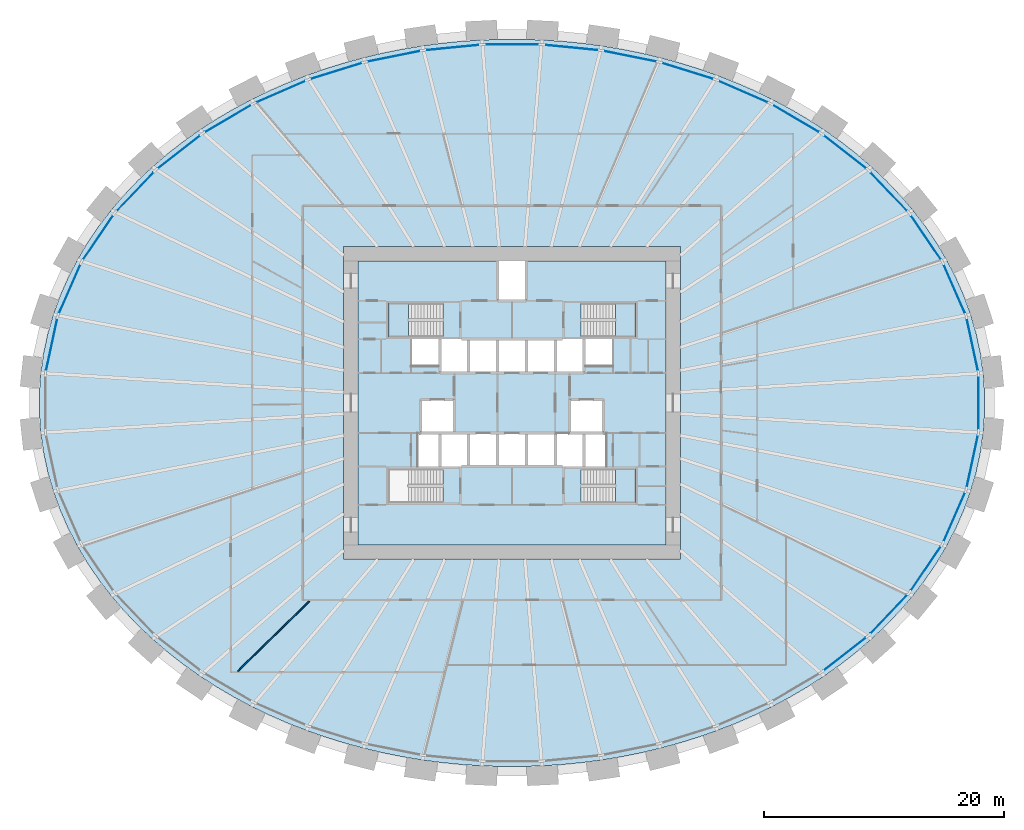
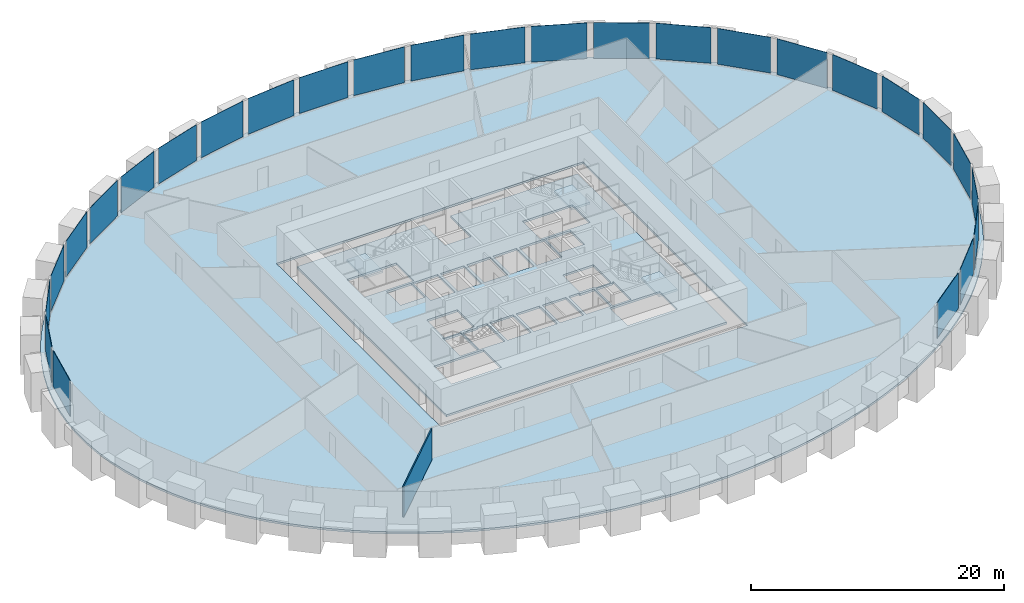
# One storey, part 5 of 11: 27 plates, 5 slabs, 1 wall, 4 elements without a shape of their own.
"""IFC4 building model written with IfcOpenShell, lengths in metres."""

from ifc_helpers import new_model, si_unit, direction, frame, frame_2d, origin, origin_2d, place, context, subcontext, project, spatial, polyline, rectangle, outline, extrude, source, transform, mapped, material, layer, layer_set, type_object, element, aggregate, save


model = new_model("IFC4")

# Units and contexts
model_context = context("Model", 3, precision=1e-05, world=origin(), true_north=direction((0.0, 1.0)))
body_context = subcontext(model_context, "Body", "Model", "MODEL_VIEW")
ifc_project = project(units=[si_unit("LENGTHUNIT", "METRE"), si_unit("AREAUNIT", "SQUARE_METRE"), si_unit("VOLUMEUNIT", "CUBIC_METRE"), si_unit("PLANEANGLEUNIT", "RADIAN"), si_unit("MASSUNIT", "GRAM", prefix="KILO")], contexts=[model_context])

# Site, building, storey
site_placement = place(None, origin())
site = spatial("IfcSite", under=ifc_project, at=site_placement, CompositionType="ELEMENT")
building_placement = place(site_placement, origin())
building = spatial("IfcBuilding", under=site, at=building_placement, Name="Embergate Tower", CompositionType="ELEMENT")
storey_placement = place(building_placement, frame((0.0, 0.0, 49.699951171875)))
storey = spatial("IfcBuildingStorey", under=building, at=storey_placement, Name="L08", CompositionType="ELEMENT", Elevation=49.699951171875)

# Slab
ifc_material_1 = material(Name="Concrete C40", Category="concrete")
ifc_layer_1 = layer(ifc_material_1, 0.199951171875)
ifc_layer_set_1 = layer_set([ifc_layer_1], Name="Concrete C40")
slab_type_1 = type_object("IfcSlabType", Name="Composite floor slab C40 200", PredefinedType="FLOOR", material=ifc_layer_set_1)
shared_shape_1 = source(origin(), body_context, "Body", "SweptSolid", [
    extrude(outline(polyline([(0.0, 0.0), (1.6640625, 0.0), (3.325927734375, 0.053955078125), (4.989013671875, 0.162109375), (6.64501953125, 0.324951171875), (8.2900390625, 0.5419921875), (9.93798828125, 0.81494140625), (11.569091796875, 1.14208984375), (13.179931640625, 1.52294921875), (14.794921875, 1.964111328125), (16.383056640625, 2.4580078125), (17.942138671875, 3.006103515625), (19.5029296875, 3.619140625), (21.027099609375, 4.2861328125), (22.510986328125, 5.00390625), (23.994140625, 5.794921875), (25.427978515625, 6.637939453125), (26.81005859375, 7.531005859375), (28.18310546875, 8.505126953125), (29.494140625, 9.529052734375), (30.739990234375, 10.59912109375), (31.964111328125, 11.757080078125), (33.111083984375, 12.9609375), (34.179931640625, 14.2060546875), (35.2060546875, 15.5419921875), (36.14111328125, 16.9169921875), (36.98291015625, 18.326904296875), (37.754150390625, 19.820068359375), (38.422119140625, 21.342041015625), (38.984130859375, 22.89013671875), (39.447998046875, 24.4970703125), (39.797119140625, 26.1220703125), (40.031982421875, 27.759033203125), (40.150146484375, 29.41796875), (40.150146484375, 31.080078125), (40.031982421875, 32.739013671875), (39.797119140625, 34.3759765625), (39.447998046875, 36.0009765625), (38.984130859375, 37.60791015625), (38.422119140625, 39.156005859375), (37.754150390625, 40.677978515625), (36.98291015625, 42.171142578125), (36.14111328125, 43.5810546875), (35.2060546875, 44.9560546875), (34.179931640625, 46.2919921875), (33.111083984375, 47.537109375), (31.964111328125, 48.740966796875), (30.739990234375, 49.89892578125), (29.494140625, 50.968994140625), (28.18310546875, 51.992919921875), (26.81005859375, 52.967041015625), (25.427978515625, 53.860107421875), (23.994140625, 54.703125), (22.510986328125, 55.494140625), (21.027099609375, 56.2119140625), (19.5029296875, 56.87890625), (17.942138671875, 57.491943359375), (16.383056640625, 58.0400390625), (14.794921875, 58.533935546875), (13.179931640625, 58.97509765625), (11.569091796875, 59.35595703125), (9.93798828125, 59.68310546875), (8.2900390625, 59.9560546875), (6.64501953125, 60.173095703125), (4.989013671875, 60.3359375), (3.325927734375, 60.444091796875), (1.6640625, 60.498046875), (0.0, 60.498046875), (-1.661865234375, 60.444091796875), (-3.324951171875, 60.3359375), (-4.98095703125, 60.173095703125), (-6.6259765625, 59.9560546875), (-8.27392578125, 59.68310546875), (-9.905029296875, 59.35595703125), (-11.515869140625, 58.97509765625), (-13.130859375, 58.533935546875), (-14.718994140625, 58.0400390625), (-16.278076171875, 57.491943359375), (-17.8388671875, 56.87890625), (-19.363037109375, 56.2119140625), (-20.846923828125, 55.494140625), (-22.330078125, 54.703125), (-23.763916015625, 53.860107421875), (-25.14599609375, 52.967041015625), (-26.51904296875, 51.992919921875), (-27.830078125, 50.968994140625), (-29.075927734375, 49.89892578125), (-30.300048828125, 48.740966796875), (-31.447021484375, 47.537109375), (-32.515869140625, 46.2919921875), (-33.5419921875, 44.9560546875), (-34.47705078125, 43.5810546875), (-35.31884765625, 42.171142578125), (-36.090087890625, 40.677978515625), (-36.758056640625, 39.156005859375), (-37.320068359375, 37.60791015625), (-37.783935546875, 36.0009765625), (-38.133056640625, 34.3759765625), (-38.367919921875, 32.739013671875), (-38.486083984375, 31.080078125), (-38.486083984375, 29.41796875), (-38.367919921875, 27.759033203125), (-38.133056640625, 26.1220703125), (-37.783935546875, 24.4970703125), (-37.320068359375, 22.89013671875), (-36.758056640625, 21.342041015625), (-36.090087890625, 19.820068359375), (-35.31884765625, 18.326904296875), (-34.47705078125, 16.9169921875), (-33.5419921875, 15.5419921875), (-32.515869140625, 14.2060546875), (-31.447021484375, 12.9609375), (-30.300048828125, 11.757080078125), (-29.075927734375, 10.59912109375), (-27.830078125, 9.529052734375), (-26.51904296875, 8.505126953125), (-25.14599609375, 7.531005859375), (-23.763916015625, 6.637939453125), (-22.330078125, 5.794921875), (-20.846923828125, 5.00390625), (-19.363037109375, 4.2861328125), (-17.8388671875, 3.619140625), (-16.278076171875, 3.006103515625), (-14.718994140625, 2.4580078125), (-13.130859375, 1.964111328125), (-11.515869140625, 1.52294921875), (-9.905029296875, 1.14208984375), (-8.27392578125, 0.81494140625), (-6.6259765625, 0.5419921875), (-4.98095703125, 0.324951171875), (-3.324951171875, 0.162109375), (-1.661865234375, 0.053955078125), (0.0, 0.0)]), holes=[polyline([(-13.16796875, 17.2490234375), (-13.16796875, 43.2490234375), (14.83203125, 43.2490234375), (14.83203125, 17.2490234375), (-13.16796875, 17.2490234375)])]), origin(), (0.0, 0.0, 1.0), 0.199951171875),
])
slab_1_placement = place(storey_placement, frame((-0.83203125, -30.2490234375, -0.199951171875)))
element("IfcSlab", 1, at=slab_1_placement, inside=storey, type_object=slab_type_1, Name="SLB-L08-00", PredefinedType="FLOOR", context=body_context, shape_type="MappedRepresentation", body=[
    mapped(shared_shape_1, transform((0.0, 0.0, 0.0))),
])

# Curtain wall, plates
ifc_material_2 = material(Name="Aluminium and glass", Category="aluminium")
curtain_wall_type = type_object("IfcCurtainWallType", Name="Recessed office glazing", PredefinedType="NOTDEFINED", material=ifc_material_2)
curtain_wall_placement = place(storey_placement, origin())
curtain_wall = element("IfcCurtainWall", 2, at=curtain_wall_placement, inside=storey, type_object=curtain_wall_type, Name="Recessed office glazing ring", ObjectType="RECESSED OFFICE GLAZING", PredefinedType="USERDEFINED")
ifc_material_3 = material(Name="Triple glazing, low-emissivity coating", Category="glass")
ifc_layer_2 = layer(ifc_material_3, 0.035888671875)
ifc_layer_set_2 = layer_set([ifc_layer_2], Name="Triple glazing, low-emissivity coating")
plate_type = type_object("IfcPlateType", Name="Office glazing unit", PredefinedType="CURTAIN_PANEL", material=ifc_layer_set_2)
shared_shape_2 = source(origin(), body_context, "Body", "SweptSolid", [
    extrude(rectangle(XDim=4.379638671875, YDim=0.035888671875, at=origin_2d()), origin(), (0.0, 0.0, 1.0), 3.449951171875),
])
plate_1_placement = place(storey_placement, frame((38.29638671875, 4.843505859375, 0.14990234375), z_axis=(0.0, 0.0, 1.0), x_axis=(-0.210398391177, 0.97761573074, 0.0)))
plate_1 = element("IfcPlate", 3, at=plate_1_placement, type_object=plate_type, Name="CW panel 1.1", PredefinedType="CURTAIN_PANEL", context=body_context, shape_type="MappedRepresentation", body=[
    mapped(shared_shape_2, transform((0.0, 0.0, 0.0))),
])
plate_2_placement = place(storey_placement, frame((-38.29638671875, 4.843505859375, 0.14990234375), z_axis=(0.0, 0.0, 1.0), x_axis=(-0.210398391177, -0.97761573074, 0.0)))
plate_2 = element("IfcPlate", 4, at=plate_2_placement, type_object=plate_type, Name="CW panel 21.1", PredefinedType="CURTAIN_PANEL", context=body_context, shape_type="MappedRepresentation", body=[
    mapped(shared_shape_2, transform((0.0, 0.0, 0.0))),
])
plate_3_placement = place(storey_placement, frame((38.29638671875, -4.843505859375, 0.14990234375), z_axis=(0.0, 0.0, 1.0), x_axis=(0.210398391177, 0.97761573074, 0.0)))
plate_3 = element("IfcPlate", 5, at=plate_3_placement, type_object=plate_type, Name="CW panel 43.1", PredefinedType="CURTAIN_PANEL", context=body_context, shape_type="MappedRepresentation", body=[
    mapped(shared_shape_2, transform((0.0, 0.0, 0.0))),
])
shared_shape_3 = source(origin(), body_context, "Body", "SweptSolid", [
    extrude(rectangle(XDim=4.38671875, YDim=0.035888671875, at=origin_2d()), origin(), (0.0, 0.0, 1.0), 3.449951171875),
])
plate_4_placement = place(storey_placement, frame((36.79541015625, 9.4853515625, 0.14990234375), z_axis=(0.0, 0.0, 1.0), x_axis=(-0.401652101157, 0.91579232888, 0.0)))
plate_4 = element("IfcPlate", 6, at=plate_4_placement, type_object=plate_type, Name="CW panel 2.1", PredefinedType="CURTAIN_PANEL", context=body_context, shape_type="MappedRepresentation", body=[
    mapped(shared_shape_3, transform((0.0, 0.0, 0.0))),
])
plate_5_placement = place(storey_placement, frame((-36.79541015625, 9.4853515625, 0.14990234375), z_axis=(0.0, 0.0, 1.0), x_axis=(-0.401652101157, -0.91579232888, 0.0)))
plate_5 = element("IfcPlate", 7, at=plate_5_placement, type_object=plate_type, Name="CW panel 20.1", PredefinedType="CURTAIN_PANEL", context=body_context, shape_type="MappedRepresentation", body=[
    mapped(shared_shape_3, transform((0.0, 0.0, 0.0))),
])
plate_6_placement = place(storey_placement, frame((36.79541015625, -9.4853515625, 0.14990234375), z_axis=(0.0, 0.0, 1.0), x_axis=(0.401652101157, 0.91579232888, 0.0)))
plate_6 = element("IfcPlate", 8, at=plate_6_placement, type_object=plate_type, Name="CW panel 42.1", PredefinedType="CURTAIN_PANEL", context=body_context, shape_type="MappedRepresentation", body=[
    mapped(shared_shape_3, transform((0.0, 0.0, 0.0))),
])
shared_shape_4 = source(origin(), body_context, "Body", "SweptSolid", [
    extrude(rectangle(XDim=4.3955078125, YDim=0.035888671875, at=origin_2d()), origin(), (0.0, 0.0, 1.0), 3.449951171875),
])
plate_7_placement = place(storey_placement, frame((34.427978515625, 13.764404296875, 0.14990234375), z_axis=(0.0, 0.0, 1.0), x_axis=(-0.562341741915, 0.826904931234, 0.0)))
plate_7 = element("IfcPlate", 9, at=plate_7_placement, type_object=plate_type, Name="CW panel 3.1", PredefinedType="CURTAIN_PANEL", context=body_context, shape_type="MappedRepresentation", body=[
    mapped(shared_shape_4, transform((0.0, 0.0, 0.0))),
])
plate_8_placement = place(storey_placement, frame((-34.427978515625, 13.764404296875, 0.14990234375), z_axis=(0.0, 0.0, 1.0), x_axis=(-0.562341741915, -0.826904931234, 0.0)))
plate_8 = element("IfcPlate", 10, at=plate_8_placement, type_object=plate_type, Name="CW panel 19.1", PredefinedType="CURTAIN_PANEL", context=body_context, shape_type="MappedRepresentation", body=[
    mapped(shared_shape_4, transform((0.0, 0.0, 0.0))),
])
plate_9_placement = place(storey_placement, frame((34.427978515625, -13.764404296875, 0.14990234375), z_axis=(0.0, 0.0, 1.0), x_axis=(0.562341741915, 0.826904931234, 0.0)))
plate_9 = element("IfcPlate", 11, at=plate_9_placement, type_object=plate_type, Name="CW panel 41.1", PredefinedType="CURTAIN_PANEL", context=body_context, shape_type="MappedRepresentation", body=[
    mapped(shared_shape_4, transform((0.0, 0.0, 0.0))),
])
shared_shape_5 = source(origin(), body_context, "Body", "SweptSolid", [
    extrude(rectangle(XDim=4.404296875, YDim=0.035888671875, at=origin_2d()), origin(), (0.0, 0.0, 1.0), 3.449951171875),
])
plate_10_placement = place(storey_placement, frame((31.3466796875, 17.57861328125, 0.14990234375), z_axis=(0.0, 0.0, 1.0), x_axis=(-0.690135047526, 0.723680603703, 0.0)))
plate_10 = element("IfcPlate", 12, at=plate_10_placement, type_object=plate_type, Name="CW panel 4.1", PredefinedType="CURTAIN_PANEL", context=body_context, shape_type="MappedRepresentation", body=[
    mapped(shared_shape_5, transform((0.0, 0.0, 0.0))),
])
plate_11_placement = place(storey_placement, frame((-31.3466796875, 17.57861328125, 0.14990234375), z_axis=(0.0, 0.0, 1.0), x_axis=(-0.690135047526, -0.723680603703, 0.0)))
plate_11 = element("IfcPlate", 13, at=plate_11_placement, type_object=plate_type, Name="CW panel 18.1", PredefinedType="CURTAIN_PANEL", context=body_context, shape_type="MappedRepresentation", body=[
    mapped(shared_shape_5, transform((0.0, 0.0, 0.0))),
])
plate_12_placement = place(storey_placement, frame((31.3466796875, -17.57861328125, 0.14990234375), z_axis=(0.0, 0.0, 1.0), x_axis=(0.690135047526, 0.723680603703, 0.0)))
plate_12 = element("IfcPlate", 14, at=plate_12_placement, type_object=plate_type, Name="CW panel 40.1", PredefinedType="CURTAIN_PANEL", context=body_context, shape_type="MappedRepresentation", body=[
    mapped(shared_shape_5, transform((0.0, 0.0, 0.0))),
])
shared_shape_6 = source(origin(), body_context, "Body", "SweptSolid", [
    extrude(rectangle(XDim=4.411865234375, YDim=0.035888671875, at=origin_2d()), origin(), (0.0, 0.0, 1.0), 3.449951171875),
])
plate_13_placement = place(storey_placement, frame((27.703369140625, 20.877685546875, 0.14990234375), z_axis=(0.0, 0.0, 1.0), x_axis=(-0.788320119254, 0.615265300158, 0.0)))
plate_13 = element("IfcPlate", 15, at=plate_13_placement, type_object=plate_type, Name="CW panel 5.1", PredefinedType="CURTAIN_PANEL", context=body_context, shape_type="MappedRepresentation", body=[
    mapped(shared_shape_6, transform((0.0, 0.0, 0.0))),
])
plate_14_placement = place(storey_placement, frame((-27.703369140625, 20.877685546875, 0.14990234375), z_axis=(0.0, 0.0, 1.0), x_axis=(-0.788320119254, -0.615265300158, 0.0)))
plate_14 = element("IfcPlate", 16, at=plate_14_placement, type_object=plate_type, Name="CW panel 17.1", PredefinedType="CURTAIN_PANEL", context=body_context, shape_type="MappedRepresentation", body=[
    mapped(shared_shape_6, transform((0.0, 0.0, 0.0))),
])
plate_15_placement = place(storey_placement, frame((27.703369140625, -20.877685546875, 0.14990234375), z_axis=(0.0, 0.0, 1.0), x_axis=(0.788320119254, 0.615265300158, 0.0)))
plate_15 = element("IfcPlate", 17, at=plate_15_placement, type_object=plate_type, Name="CW panel 39.1", PredefinedType="CURTAIN_PANEL", context=body_context, shape_type="MappedRepresentation", body=[
    mapped(shared_shape_6, transform((0.0, 0.0, 0.0))),
])
shared_shape_7 = source(origin(), body_context, "Body", "SweptSolid", [
    extrude(rectangle(XDim=4.41796875, YDim=0.035888671875, at=origin_2d()), origin(), (0.0, 0.0, 1.0), 3.449951171875),
])
plate_16_placement = place(storey_placement, frame((23.631103515625, 23.646240234375, 0.14990234375), z_axis=(0.0, 0.0, 1.0), x_axis=(-0.862053167811, 0.50681785275, 0.0)))
plate_16 = element("IfcPlate", 18, at=plate_16_placement, type_object=plate_type, Name="CW panel 6.1", PredefinedType="CURTAIN_PANEL", context=body_context, shape_type="MappedRepresentation", body=[
    mapped(shared_shape_7, transform((0.0, 0.0, 0.0))),
])
plate_17_placement = place(storey_placement, frame((-23.631103515625, 23.646240234375, 0.14990234375), z_axis=(0.0, 0.0, 1.0), x_axis=(-0.862053167811, -0.50681785275, 0.0)))
plate_17 = element("IfcPlate", 19, at=plate_17_placement, type_object=plate_type, Name="CW panel 16.1", PredefinedType="CURTAIN_PANEL", context=body_context, shape_type="MappedRepresentation", body=[
    mapped(shared_shape_7, transform((0.0, 0.0, 0.0))),
])
shared_shape_8 = source(origin(), body_context, "Body", "SweptSolid", [
    extrude(rectangle(XDim=4.422607421875, YDim=0.035888671875, at=origin_2d()), origin(), (0.0, 0.0, 1.0), 3.449951171875),
])
plate_18_placement = place(storey_placement, frame((19.23828125, 25.8876953125, 0.14990234375), z_axis=(0.0, 0.0, 1.0), x_axis=(-0.916236211741, 0.400638495772, 0.0)))
plate_18 = element("IfcPlate", 20, at=plate_18_placement, type_object=plate_type, Name="CW panel 7.1", PredefinedType="CURTAIN_PANEL", context=body_context, shape_type="MappedRepresentation", body=[
    mapped(shared_shape_8, transform((0.0, 0.0, 0.0))),
])
plate_19_placement = place(storey_placement, frame((-19.23828125, 25.8876953125, 0.14990234375), z_axis=(0.0, 0.0, 1.0), x_axis=(-0.916236211741, -0.400638495772, 0.0)))
plate_19 = element("IfcPlate", 21, at=plate_19_placement, type_object=plate_type, Name="CW panel 15.1", PredefinedType="CURTAIN_PANEL", context=body_context, shape_type="MappedRepresentation", body=[
    mapped(shared_shape_8, transform((0.0, 0.0, 0.0))),
])
shared_shape_9 = source(origin(), body_context, "Body", "SweptSolid", [
    extrude(rectangle(XDim=4.42578125, YDim=0.035888671875, at=origin_2d()), origin(), (0.0, 0.0, 1.0), 3.449951171875),
])
plate_20_placement = place(storey_placement, frame((14.613037109375, 27.613037109375, 0.14990234375), z_axis=(0.0, 0.0, 1.0), x_axis=(-0.954772217174, 0.297338213676, 0.0)))
plate_20 = element("IfcPlate", 22, at=plate_20_placement, type_object=plate_type, Name="CW panel 8.1", PredefinedType="CURTAIN_PANEL", context=body_context, shape_type="MappedRepresentation", body=[
    mapped(shared_shape_9, transform((0.0, 0.0, 0.0))),
])
plate_21_placement = place(storey_placement, frame((-14.613037109375, 27.613037109375, 0.14990234375), z_axis=(0.0, 0.0, 1.0), x_axis=(-0.954772217174, -0.297338213676, 0.0)))
plate_21 = element("IfcPlate", 23, at=plate_21_placement, type_object=plate_type, Name="CW panel 14.1", PredefinedType="CURTAIN_PANEL", context=body_context, shape_type="MappedRepresentation", body=[
    mapped(shared_shape_9, transform((0.0, 0.0, 0.0))),
])
shared_shape_10 = source(origin(), body_context, "Body", "SweptSolid", [
    extrude(rectangle(XDim=4.427978515625, YDim=0.035888671875, at=origin_2d()), origin(), (0.0, 0.0, 1.0), 3.449951171875),
])
plate_22_placement = place(storey_placement, frame((9.826171875, 28.8349609375, 0.14990234375), z_axis=(0.0, 0.0, 1.0), x_axis=(-0.980475907409, 0.196639250889, 0.0)))
plate_22 = element("IfcPlate", 24, at=plate_22_placement, type_object=plate_type, Name="CW panel 9.1", PredefinedType="CURTAIN_PANEL", context=body_context, shape_type="MappedRepresentation", body=[
    mapped(shared_shape_10, transform((0.0, 0.0, 0.0))),
])
plate_23_placement = place(storey_placement, frame((-9.826171875, 28.8349609375, 0.14990234375), z_axis=(0.0, 0.0, 1.0), x_axis=(-0.980475907409, -0.196639250889, 0.0)))
plate_23 = element("IfcPlate", 25, at=plate_23_placement, type_object=plate_type, Name="CW panel 13.1", PredefinedType="CURTAIN_PANEL", context=body_context, shape_type="MappedRepresentation", body=[
    mapped(shared_shape_10, transform((0.0, 0.0, 0.0))),
])
shared_shape_11 = source(origin(), body_context, "Body", "SweptSolid", [
    extrude(rectangle(XDim=4.42919921875, YDim=0.035888671875, at=origin_2d()), origin(), (0.0, 0.0, 1.0), 3.449951171875),
])
plate_24_placement = place(storey_placement, frame((4.937744140625, 29.5634765625, 0.14990234375), z_axis=(0.0, 0.0, 1.0), x_axis=(-0.995203184788, 0.097829550688, 0.0)))
plate_24 = element("IfcPlate", 26, at=plate_24_placement, type_object=plate_type, Name="CW panel 10.1", PredefinedType="CURTAIN_PANEL", context=body_context, shape_type="MappedRepresentation", body=[
    mapped(shared_shape_11, transform((0.0, 0.0, 0.0))),
])
plate_25_placement = place(storey_placement, frame((-4.937744140625, 29.5634765625, 0.14990234375), z_axis=(0.0, 0.0, 1.0), x_axis=(-0.995203184788, -0.097829550688, 0.0)))
plate_25 = element("IfcPlate", 27, at=plate_25_placement, type_object=plate_type, Name="CW panel 12.1", PredefinedType="CURTAIN_PANEL", context=body_context, shape_type="MappedRepresentation", body=[
    mapped(shared_shape_11, transform((0.0, 0.0, 0.0))),
])
shared_shape_12 = source(origin(), body_context, "Body", "SweptSolid", [
    extrude(rectangle(XDim=4.4296875, YDim=0.035888671875, at=origin_2d()), origin(), (0.0, 0.0, 1.0), 3.449951171875),
])
plate_26_placement = place(storey_placement, frame((0.0, 29.8056640625, 0.14990234375), z_axis=(0.0, 0.0, 1.0), x_axis=(-1.0, 0.0, 0.0)))
plate_26 = element("IfcPlate", 28, at=plate_26_placement, type_object=plate_type, Name="CW panel 11.1", PredefinedType="CURTAIN_PANEL", context=body_context, shape_type="MappedRepresentation", body=[
    mapped(shared_shape_12, transform((0.0, 0.0, 0.0))),
])
shared_shape_13 = source(origin(), body_context, "Body", "SweptSolid", [
    extrude(rectangle(XDim=4.376953125, YDim=0.035888671875, at=origin_2d()), origin(), (0.0, 0.0, 1.0), 3.449951171875),
])
plate_27_placement = place(storey_placement, frame((38.811767578125, 0.0, 0.14990234375), z_axis=(0.0, 0.0, 1.0), x_axis=(0.0, 1.0, 0.0)))
plate_27 = element("IfcPlate", 29, at=plate_27_placement, type_object=plate_type, Name="CW panel 44.1", PredefinedType="CURTAIN_PANEL", context=body_context, shape_type="MappedRepresentation", body=[
    mapped(shared_shape_13, transform((0.0, 0.0, 0.0))),
])
aggregate(curtain_wall, [plate_1, plate_4, plate_7, plate_10, plate_13, plate_16, plate_18, plate_20, plate_22, plate_24, plate_26, plate_25, plate_23, plate_21, plate_19, plate_17, plate_14, plate_11, plate_8, plate_5, plate_2, plate_15, plate_12, plate_9, plate_6, plate_3, plate_27])

# Stair, slab
ifc_material_4 = material(Name="Exit stair")
stair_type = type_object("IfcStairType", Name="Exit stair", PredefinedType="HALF_TURN_STAIR", material=ifc_material_4)
stair_1_placement = place(storey_placement, origin())
stair_1 = element("IfcStair", 30, at=stair_1_placement, inside=storey, type_object=stair_type, Name="L08 Exit stair 1", PredefinedType="HALF_TURN_STAIR")
ifc_layer_3 = layer(ifc_material_1, 0.199951171875)
ifc_layer_set_3 = layer_set([ifc_layer_3], Name="Concrete C40")
slab_type_2 = type_object("IfcSlabType", Name="Stair landing reinforced concrete", PredefinedType="LANDING", material=ifc_layer_set_3)
shared_shape_14 = source(origin(), body_context, "Body", "SweptSolid", [
    extrude(outline(polyline([(0.0, 0.0), (1.68994140625, 0.0), (1.68994140625, 2.800048828125), (0.0, 2.800048828125), (0.0, 0.0)])), origin(), (0.0, 0.0, 1.0), 0.199951171875),
])
slab_2_placement = place(storey_placement, frame((-10.300048828125, 5.5, 1.75)))
slab_2 = element("IfcSlab", 31, at=slab_2_placement, type_object=slab_type_2, Name="ST1 landing 1", PredefinedType="LANDING", context=body_context, shape_type="MappedRepresentation", body=[
    mapped(shared_shape_14, transform((0.0, 0.0, 0.0))),
])
aggregate(stair_1, [slab_2])

stair_2_placement = place(storey_placement, origin())
stair_2 = element("IfcStair", 32, at=stair_2_placement, inside=storey, type_object=stair_type, Name="L08 Exit stair 2", PredefinedType="HALF_TURN_STAIR")
slab_3_placement = place(storey_placement, frame((8.610107421875, 5.5, 1.75)))
slab_3 = element("IfcSlab", 33, at=slab_3_placement, type_object=slab_type_2, Name="ST2 landing 1", PredefinedType="LANDING", context=body_context, shape_type="MappedRepresentation", body=[
    mapped(shared_shape_14, transform((0.0, 0.0, 0.0))),
])
aggregate(stair_2, [slab_3])

stair_3_placement = place(storey_placement, origin())
stair_3 = element("IfcStair", 34, at=stair_3_placement, inside=storey, type_object=stair_type, Name="L08 Exit stair 4", PredefinedType="HALF_TURN_STAIR")
slab_4_placement = place(storey_placement, frame((8.610107421875, -8.300048828125, 1.75)))
slab_4 = element("IfcSlab", 35, at=slab_4_placement, type_object=slab_type_2, Name="ST4 landing 1", PredefinedType="LANDING", context=body_context, shape_type="MappedRepresentation", body=[
    mapped(shared_shape_14, transform((0.0, 0.0, 0.0))),
])
aggregate(stair_3, [slab_4])

# Slab
ifc_layer_4 = layer(ifc_material_1, 0.199951171875)
ifc_layer_set_4 = layer_set([ifc_layer_4], Name="Concrete C40")
slab_type_3 = type_object("IfcSlabType", Name="Core floor slab 200 reinforced concrete", PredefinedType="FLOOR", material=ifc_layer_set_4)
shared_shape_15 = source(origin(), body_context, "Body", "SweptSolid", [
    extrude(outline(polyline([(0.0, 0.0), (25.60009765625, 0.0), (25.60009765625, 23.60009765625), (14.0, 23.60009765625), (14.0, 20.300048828125), (11.60009765625, 20.300048828125), (11.60009765625, 23.60009765625), (0.0, 23.60009765625), (0.0, 0.0)]), holes=[polyline([(2.5, 3.5), (2.5, 6.300048828125), (7.0400390625, 6.300048828125), (7.0400390625, 3.5), (2.5, 3.5)]), polyline([(18.56005859375, 3.5), (18.56005859375, 6.300048828125), (23.10009765625, 6.300048828125), (23.10009765625, 3.5), (18.56005859375, 3.5)]), polyline([(5.0, 6.5), (5.0, 9.300048828125), (5.074951171875, 9.300048828125), (5.074951171875, 9.175048828125), (6.675048828125, 9.175048828125), (6.675048828125, 6.5), (5.0, 6.5)]), polyline([(6.800048828125, 6.5), (6.800048828125, 9.175048828125), (8.125, 9.175048828125), (8.125, 9.300048828125), (9.074951171875, 9.300048828125), (9.074951171875, 6.5), (6.800048828125, 6.5)]), polyline([(9.324951171875, 6.5), (9.324951171875, 9.300048828125), (11.47509765625, 9.300048828125), (11.47509765625, 6.5), (9.324951171875, 6.5)]), polyline([(11.72509765625, 6.5), (11.72509765625, 9.300048828125), (13.875, 9.300048828125), (13.875, 6.5), (11.72509765625, 6.5)]), polyline([(14.125, 6.5), (14.125, 9.300048828125), (16.275146484375, 9.300048828125), (16.275146484375, 6.5), (14.125, 6.5)]), polyline([(16.525146484375, 6.5), (16.525146484375, 9.300048828125), (17.47509765625, 9.300048828125), (17.47509765625, 9.175048828125), (18.800048828125, 9.175048828125), (18.800048828125, 6.5), (16.525146484375, 6.5)]), polyline([(18.925048828125, 6.5), (18.925048828125, 9.175048828125), (20.525146484375, 9.175048828125), (20.525146484375, 9.300048828125), (20.60009765625, 9.300048828125), (20.60009765625, 6.5), (18.925048828125, 6.5)]), polyline([(5.199951171875, 9.300048828125), (5.199951171875, 12.10009765625), (8.0, 12.10009765625), (8.0, 9.425048828125), (6.675048828125, 9.425048828125), (6.675048828125, 9.300048828125), (5.199951171875, 9.300048828125)]), polyline([(18.925048828125, 9.300048828125), (18.925048828125, 9.425048828125), (17.60009765625, 9.425048828125), (17.60009765625, 12.10009765625), (20.400146484375, 12.10009765625), (20.400146484375, 9.300048828125), (18.925048828125, 9.300048828125)]), polyline([(6.800048828125, 14.300048828125), (6.800048828125, 17.10009765625), (9.074951171875, 17.10009765625), (9.074951171875, 14.300048828125), (6.800048828125, 14.300048828125)]), polyline([(9.324951171875, 14.300048828125), (9.324951171875, 17.10009765625), (11.47509765625, 17.10009765625), (11.47509765625, 14.300048828125), (9.324951171875, 14.300048828125)]), polyline([(11.72509765625, 14.300048828125), (11.72509765625, 17.10009765625), (13.875, 17.10009765625), (13.875, 14.300048828125), (11.72509765625, 14.300048828125)]), polyline([(14.125, 14.300048828125), (14.125, 17.10009765625), (16.275146484375, 17.10009765625), (16.275146484375, 14.300048828125), (14.125, 14.300048828125)]), polyline([(16.525146484375, 14.300048828125), (16.525146484375, 17.10009765625), (18.800048828125, 17.10009765625), (18.800048828125, 14.300048828125), (16.525146484375, 14.300048828125)]), polyline([(4.400146484375, 14.900146484375), (4.400146484375, 17.10009765625), (6.675048828125, 17.10009765625), (6.675048828125, 14.900146484375), (4.400146484375, 14.900146484375)]), polyline([(18.925048828125, 14.900146484375), (18.925048828125, 17.10009765625), (21.199951171875, 17.10009765625), (21.199951171875, 14.900146484375), (18.925048828125, 14.900146484375)]), polyline([(2.5, 17.300048828125), (2.5, 20.10009765625), (7.0400390625, 20.10009765625), (7.0400390625, 17.300048828125), (2.5, 17.300048828125)]), polyline([(18.56005859375, 17.300048828125), (18.56005859375, 20.10009765625), (23.10009765625, 20.10009765625), (23.10009765625, 17.300048828125), (18.56005859375, 17.300048828125)])]), origin(), (0.0, 0.0, 1.0), 0.199951171875),
])
slab_5_placement = place(storey_placement, frame((-12.800048828125, -11.800048828125, -0.199951171875)))
element("IfcSlab", 36, at=slab_5_placement, inside=storey, type_object=slab_type_3, Name="Core floor slab", PredefinedType="FLOOR", context=body_context, shape_type="MappedRepresentation", body=[
    mapped(shared_shape_15, transform((0.0, 0.0, 0.0))),
])

# Wall
ifc_material_5 = material(Name="Partition dry-lined 100")
ifc_layer_5 = layer(ifc_material_5, 0.10009765625)
ifc_layer_set_5 = layer_set([ifc_layer_5], Name="Partition dry-lined 100")
wall_type = type_object("IfcWallType", Name="Partition dry-lined 100", PredefinedType="PARTITIONING", material=ifc_layer_set_5)
shared_shape_16 = source(origin(), body_context, "Body", "SweptSolid", [
    extrude(rectangle(XDim=8.296875, YDim=0.10009765625, at=frame_2d((4.1484375, 0.0))), origin(), (0.0, 0.0, 1.0), 3.0),
])
wall_placement = place(storey_placement, frame((-16.8701171875, -16.510986328125, 0.0), z_axis=(0.0, 0.0, 1.0), x_axis=(-0.714716022059, -0.699414760934, 0.0)))
element("IfcWall", 37, at=wall_placement, inside=storey, type_object=wall_type, Name="IP-1 wall", PredefinedType="PARTITIONING", context=body_context, shape_type="MappedRepresentation", body=[
    mapped(shared_shape_16, transform((0.0, 0.0, 0.0))),
])

save(model, "model.ifc")
